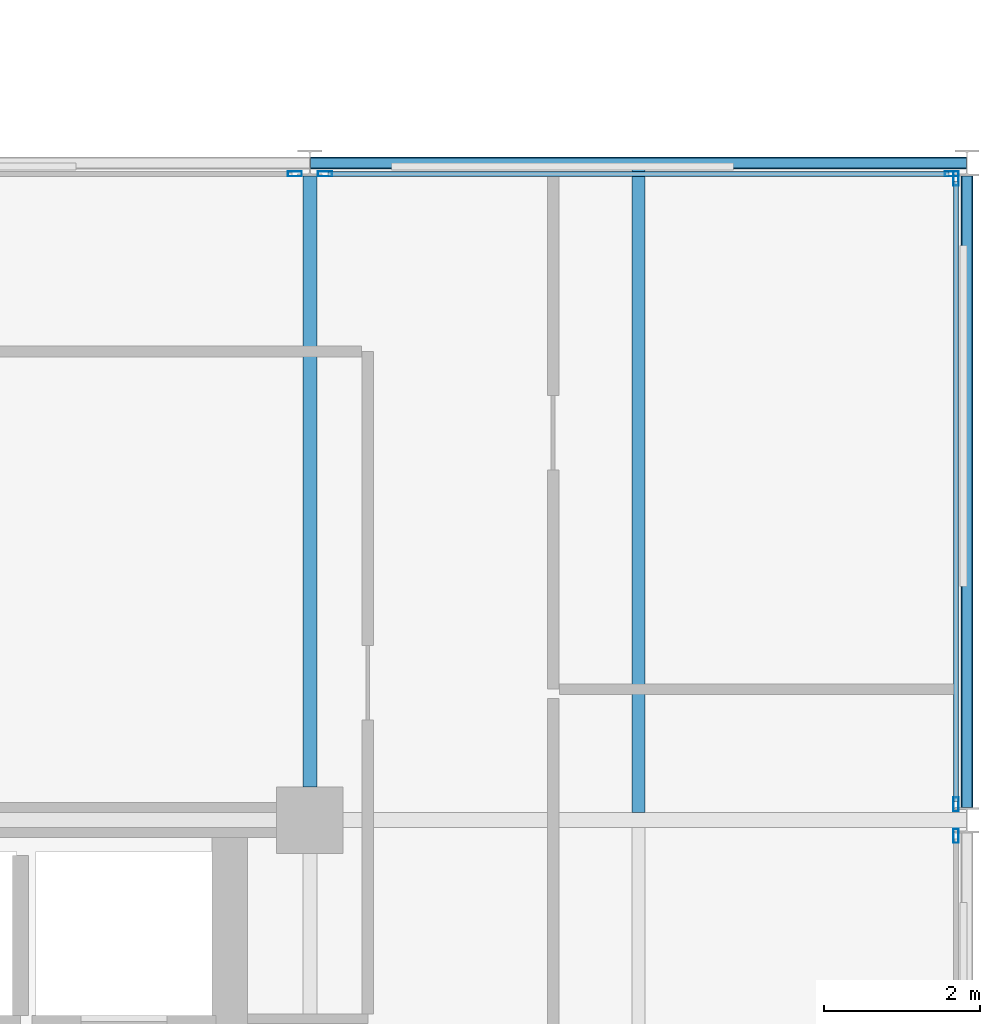
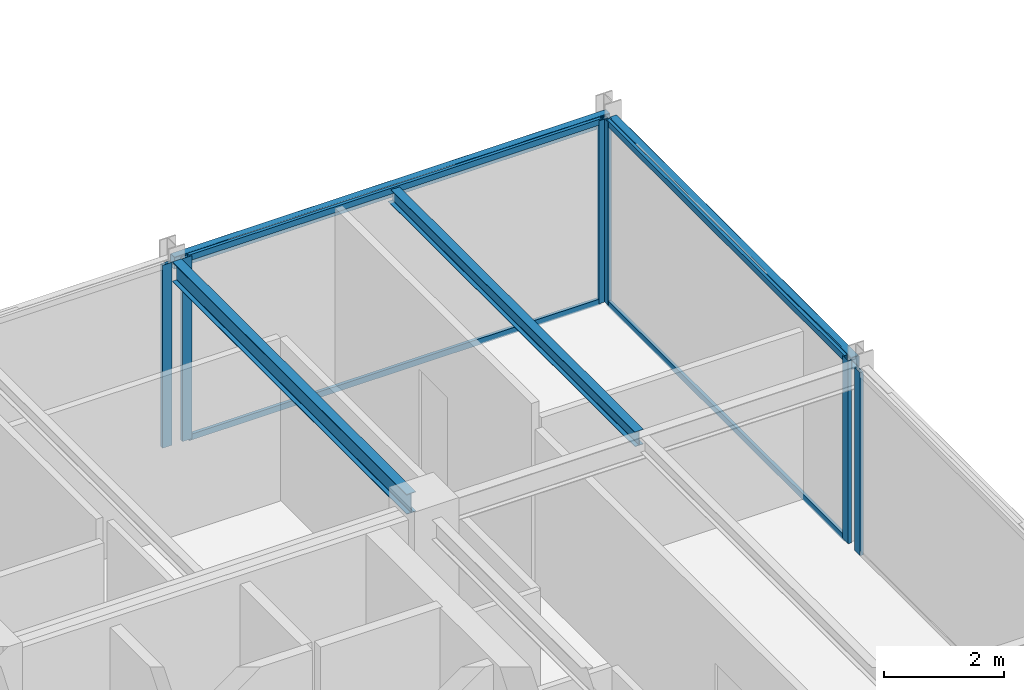
# One storey, part 16 of 26: 10 members, 4 beams, 4 elements without a shape of their own.
"""IFC4 building model written with IfcOpenShell, lengths in metres."""

from ifc_helpers import new_model, si_unit, direction, frame, origin, origin_2d, place, context, subcontext, project, spatial, hollow_rectangle, i_section, extrude, material, layer, layer_set, material_profile, profile_set, type_object, element, aggregate, save


model = new_model("IFC4")

# Units and contexts
model_context = context("Model", 3, precision=1e-05, world=origin(), true_north=direction((0.0, 1.0)))
body_context = subcontext(model_context, "Body", "Model", "MODEL_VIEW")
ifc_project = project(units=[si_unit("LENGTHUNIT", "METRE"), si_unit("AREAUNIT", "SQUARE_METRE"), si_unit("VOLUMEUNIT", "CUBIC_METRE"), si_unit("PLANEANGLEUNIT", "RADIAN"), si_unit("MASSUNIT", "GRAM", prefix="KILO")], contexts=[model_context])

# Site, building, storey
site_placement = place(None, origin())
site = spatial("IfcSite", under=ifc_project, at=site_placement, CompositionType="ELEMENT")
building_placement = place(site_placement, origin())
building = spatial("IfcBuilding", under=site, at=building_placement, Name="Nerrivon Quay Data Exchange", CompositionType="ELEMENT")
storey_placement = place(building_placement, frame((0.0, 0.0, 258.199951171875)))
storey = spatial("IfcBuildingStorey", under=building, at=storey_placement, Name="L61", CompositionType="ELEMENT", Elevation=258.199951171875)

# Beams
ifc_material_1 = material(Name="Steel Grade 350", Category="steel")
ifc_material_profile_1 = material_profile(ifc_material_1, i_section(OverallWidth=0.177978515625, OverallDepth=0.406005859375, WebThickness=0.0078125, FlangeThickness=0.0126953125, FilletRadius=0.011474609375, at=origin_2d()), Name="410UB59.7")
ifc_profile_set_1 = profile_set([ifc_material_profile_1], Name="Steel Grade 350")
beam_type_1 = type_object("IfcBeamType", Name="BM-J1-410UB60", PredefinedType="JOIST", material=ifc_profile_set_1)
beam_1_placement = place(storey_placement, frame((33.60009765625, 17.22509765625, 3.52197265625), z_axis=(0.0, 1.0, 0.0), x_axis=(-1.0, 0.0, 0.0)))
element("IfcBeam", 1, at=beam_1_placement, inside=storey, type_object=beam_type_1, Name="L61 NS Girder X=33.6 (16.8..25.2)", PredefinedType="JOIST", context=body_context, shape_type="SweptSolid", body=[
    extrude(i_section(OverallWidth=0.177978515625, OverallDepth=0.406005859375, WebThickness=0.0078125, FlangeThickness=0.0126953125, FilletRadius=0.011474609375, at=origin_2d()), origin(), (0.0, 0.0, 1.0), 7.8115234375),
])
ifc_material_profile_2 = material_profile(ifc_material_1, i_section(OverallWidth=0.1650390625, OverallDepth=0.303955078125, WebThickness=0.006103515625, FlangeThickness=0.01025390625, FilletRadius=0.011474609375, at=origin_2d()), Name="310UB40.4")
ifc_profile_set_2 = profile_set([ifc_material_profile_2], Name="Steel Grade 350")
beam_type_2 = type_object("IfcBeamType", Name="BM-J6-310UB40", PredefinedType="JOIST", material=ifc_profile_set_2)
beam_2_placement = place(storey_placement, frame((37.800048828125, 16.89501953125, 3.572998046875), z_axis=(0.0, 1.0, 0.0), x_axis=(-1.0, 0.0, 0.0)))
element("IfcBeam", 2, at=beam_2_placement, inside=storey, type_object=beam_type_2, Name="L61 Secondary Joist X=37.8 (16.8..25.2)", PredefinedType="JOIST", context=body_context, shape_type="SweptSolid", body=[
    extrude(i_section(OverallWidth=0.1650390625, OverallDepth=0.303955078125, WebThickness=0.006103515625, FlangeThickness=0.01025390625, FilletRadius=0.011474609375, at=origin_2d()), origin(), (0.0, 0.0, 1.0), 8.22998046875),
])
ifc_material_2 = material(Name="Steel Grade C350L0 (350 MPa)", Category="steel")
ifc_material_profile_3 = material_profile(ifc_material_2, hollow_rectangle(XDim=0.14990234375, YDim=0.25, WallThickness=0.009033203125, InnerFilletRadius=0.013427734375, OuterFilletRadius=0.0224609375, at=origin_2d()), Name="250x150x9.0RHS")
ifc_profile_set_3 = profile_set([ifc_material_profile_3], Name="Steel Grade C350L0 (350 MPa)")
beam_type_3 = type_object("IfcBeamType", Name="BM-SP4-250x150RHS", PredefinedType="SPANDREL", material=ifc_profile_set_3)
beam_3_placement = place(storey_placement, frame((33.60791015625, 25.199951171875, 3.60009765625), z_axis=(1.0, 0.0, 0.0), x_axis=(0.0, 1.0, 0.0)))
element("IfcBeam", 3, at=beam_3_placement, inside=storey, type_object=beam_type_3, Name="L61 EW Girder Y=25.2 (33.6..42.0)", PredefinedType="SPANDREL", context=body_context, shape_type="SweptSolid", body=[
    extrude(hollow_rectangle(XDim=0.14990234375, YDim=0.25, WallThickness=0.009033203125, InnerFilletRadius=0.013427734375, OuterFilletRadius=0.0224609375, at=origin_2d()), origin(), (0.0, 0.0, 1.0), 8.38427734375),
])
beam_4_placement = place(storey_placement, frame((42.0, 16.96337890625, 3.60009765625), z_axis=(0.0, 1.0, 0.0), x_axis=(-1.0, 0.0, 0.0)))
element("IfcBeam", 4, at=beam_4_placement, inside=storey, type_object=beam_type_3, Name="L61 NS Girder X=42.0 (16.8..25.2)", PredefinedType="SPANDREL", context=body_context, shape_type="SweptSolid", body=[
    extrude(hollow_rectangle(XDim=0.14990234375, YDim=0.25, WallThickness=0.009033203125, InnerFilletRadius=0.013427734375, OuterFilletRadius=0.0224609375, at=origin_2d()), origin(), (0.0, 0.0, 1.0), 8.0732421875),
])

# Curtain wall, member
ifc_material_3 = material(Name="Anodised aluminium 6063-T6", Category="aluminium")
ifc_layer = layer(ifc_material_3, 0.195068359375)
ifc_layer_set = layer_set([ifc_layer], Name="Anodised aluminium 6063-T6")
curtain_wall_type = type_object("IfcCurtainWallType", Name="CW-SYS-06", PredefinedType="NOTDEFINED", material=ifc_layer_set)
curtain_wall_1_placement = place(storey_placement, origin())
curtain_wall_1 = element("IfcCurtainWall", 5, at=curtain_wall_1_placement, inside=storey, type_object=curtain_wall_type, Name="L61 Unitised Curtain Wall 24", PredefinedType="NOTDEFINED")
ifc_material_profile_4 = material_profile(ifc_material_3, hollow_rectangle(XDim=0.06494140625, YDim=0.179931640625, WallThickness=0.00341796875, at=origin_2d()), Name="ALU-MULL-180x65")
ifc_profile_set_4 = profile_set([ifc_material_profile_4], Name="Anodised aluminium 6063-T6")
member_type_1 = type_object("IfcMemberType", Name="CWM-180x65", PredefinedType="MULLION", material=ifc_profile_set_4)
member_1_placement = place(storey_placement, frame((33.406982421875, 25.06005859375, 0.0), z_axis=(0.0, 0.0, 1.0), x_axis=(0.0, 1.0, 0.0)))
member_1 = element("IfcMember", 6, at=member_1_placement, type_object=member_type_1, Name="CW06 mullion 2", PredefinedType="MULLION", context=body_context, shape_type="SweptSolid", body=[
    extrude(hollow_rectangle(XDim=0.06494140625, YDim=0.179931640625, WallThickness=0.00341796875, at=origin_2d()), origin(), (0.0, 0.0, 1.0), 3.72509765625),
])
aggregate(curtain_wall_1, [member_1])

# Curtain wall, members
curtain_wall_2_placement = place(storey_placement, origin())
curtain_wall_2 = element("IfcCurtainWall", 7, at=curtain_wall_2_placement, inside=storey, type_object=curtain_wall_type, Name="L61 Unitised Curtain Wall 25", PredefinedType="NOTDEFINED")
member_2_placement = place(storey_placement, frame((33.79296875, 25.06005859375, 0.0), z_axis=(0.0, 0.0, 1.0), x_axis=(0.0, 1.0, 0.0)))
member_2 = element("IfcMember", 8, at=member_2_placement, type_object=member_type_1, Name="CW06 mullion 1", PredefinedType="MULLION", context=body_context, shape_type="SweptSolid", body=[
    extrude(hollow_rectangle(XDim=0.06494140625, YDim=0.179931640625, WallThickness=0.00341796875, at=origin_2d()), origin(), (0.0, 0.0, 1.0), 3.72509765625),
])
member_3_placement = place(storey_placement, frame((41.806884765625, 25.06005859375, 0.0), z_axis=(0.0, 0.0, 1.0), x_axis=(0.0, 1.0, 0.0)))
member_3 = element("IfcMember", 9, at=member_3_placement, type_object=member_type_1, Name="CW06 mullion 2", PredefinedType="MULLION", context=body_context, shape_type="SweptSolid", body=[
    extrude(hollow_rectangle(XDim=0.06494140625, YDim=0.179931640625, WallThickness=0.00341796875, at=origin_2d()), origin(), (0.0, 0.0, 1.0), 3.72509765625),
])

curtain_wall_3_placement = place(storey_placement, origin())
curtain_wall_3 = element("IfcCurtainWall", 10, at=curtain_wall_3_placement, inside=storey, type_object=curtain_wall_type, Name="L61 Unitised Curtain Wall 26", PredefinedType="NOTDEFINED")
member_4_placement = place(storey_placement, frame((41.860107421875, 24.9990234375, 0.0), z_axis=(0.0, 0.0, 1.0), x_axis=(1.0, 0.0, 0.0)))
member_4 = element("IfcMember", 11, at=member_4_placement, type_object=member_type_1, Name="CW06 mullion 1", PredefinedType="MULLION", context=body_context, shape_type="SweptSolid", body=[
    extrude(hollow_rectangle(XDim=0.06494140625, YDim=0.179931640625, WallThickness=0.00341796875, at=origin_2d()), origin(), (0.0, 0.0, 1.0), 3.72509765625),
])
member_5_placement = place(storey_placement, frame((41.860107421875, 17.0009765625, 0.0), z_axis=(0.0, 0.0, 1.0), x_axis=(1.0, 0.0, 0.0)))
member_5 = element("IfcMember", 12, at=member_5_placement, type_object=member_type_1, Name="CW06 mullion 2", PredefinedType="MULLION", context=body_context, shape_type="SweptSolid", body=[
    extrude(hollow_rectangle(XDim=0.06494140625, YDim=0.179931640625, WallThickness=0.00341796875, at=origin_2d()), origin(), (0.0, 0.0, 1.0), 3.72509765625),
])

# Curtain wall, member
curtain_wall_4_placement = place(storey_placement, origin())
curtain_wall_4 = element("IfcCurtainWall", 13, at=curtain_wall_4_placement, inside=storey, type_object=curtain_wall_type, Name="L61 Unitised Curtain Wall 27", PredefinedType="NOTDEFINED")
member_6_placement = place(storey_placement, frame((41.860107421875, 16.59912109375, 0.0), z_axis=(0.0, 0.0, 1.0), x_axis=(1.0, 0.0, 0.0)))
member_6 = element("IfcMember", 14, at=member_6_placement, type_object=member_type_1, Name="CW06 mullion 1", PredefinedType="MULLION", context=body_context, shape_type="SweptSolid", body=[
    extrude(hollow_rectangle(XDim=0.06494140625, YDim=0.179931640625, WallThickness=0.00341796875, at=origin_2d()), origin(), (0.0, 0.0, 1.0), 3.72509765625),
])
aggregate(curtain_wall_4, [member_6])

# Member
ifc_material_profile_5 = material_profile(ifc_material_3, hollow_rectangle(XDim=0.06005859375, YDim=0.1201171875, WallThickness=0.003173828125, at=origin_2d()), Name="ALU-TRAN-120x60")
ifc_profile_set_5 = profile_set([ifc_material_profile_5], Name="Anodised aluminium 6063-T6")
member_type_2 = type_object("IfcMemberType", Name="CWT-120x60", PredefinedType="USERDEFINED", material=ifc_profile_set_5)
member_7_placement = place(storey_placement, frame((33.83056640625, 25.06005859375, 0.032470703125), z_axis=(1.0, 0.0, 0.0), x_axis=(0.0, 1.0, 0.0)))
member_7 = element("IfcMember", 15, at=member_7_placement, type_object=member_type_2, Name="CW06 transom 1.1", ObjectType="TRANSOM", PredefinedType="USERDEFINED", context=body_context, shape_type="SweptSolid", body=[
    extrude(hollow_rectangle(XDim=0.06005859375, YDim=0.1201171875, WallThickness=0.003173828125, at=origin_2d()), origin(), (0.0, 0.0, 1.0), 7.93896484375),
])

member_8_placement = place(storey_placement, frame((33.83056640625, 25.06005859375, 3.692626953125), z_axis=(1.0, 0.0, 0.0), x_axis=(0.0, 1.0, 0.0)))
member_8 = element("IfcMember", 16, at=member_8_placement, type_object=member_type_2, Name="CW06 transom 1.2", ObjectType="TRANSOM", PredefinedType="USERDEFINED", context=body_context, shape_type="SweptSolid", body=[
    extrude(hollow_rectangle(XDim=0.06005859375, YDim=0.1201171875, WallThickness=0.003173828125, at=origin_2d()), origin(), (0.0, 0.0, 1.0), 7.93896484375),
])

aggregate(curtain_wall_2, [member_2, member_3, member_7, member_8])

member_9_placement = place(storey_placement, frame((41.860107421875, 24.96142578125, 0.032470703125), z_axis=(0.0, -1.0, 0.0), x_axis=(1.0, 0.0, 0.0)))
member_9 = element("IfcMember", 17, at=member_9_placement, type_object=member_type_2, Name="CW06 transom 1.1", ObjectType="TRANSOM", PredefinedType="USERDEFINED", context=body_context, shape_type="SweptSolid", body=[
    extrude(hollow_rectangle(XDim=0.06005859375, YDim=0.1201171875, WallThickness=0.003173828125, at=origin_2d()), origin(), (0.0, 0.0, 1.0), 7.9228515625),
])

member_10_placement = place(storey_placement, frame((41.860107421875, 24.96142578125, 3.692626953125), z_axis=(0.0, -1.0, 0.0), x_axis=(1.0, 0.0, 0.0)))
member_10 = element("IfcMember", 18, at=member_10_placement, type_object=member_type_2, Name="CW06 transom 1.2", ObjectType="TRANSOM", PredefinedType="USERDEFINED", context=body_context, shape_type="SweptSolid", body=[
    extrude(hollow_rectangle(XDim=0.06005859375, YDim=0.1201171875, WallThickness=0.003173828125, at=origin_2d()), origin(), (0.0, 0.0, 1.0), 7.9228515625),
])

aggregate(curtain_wall_3, [member_4, member_5, member_9, member_10])

save(model, "model.ifc")
